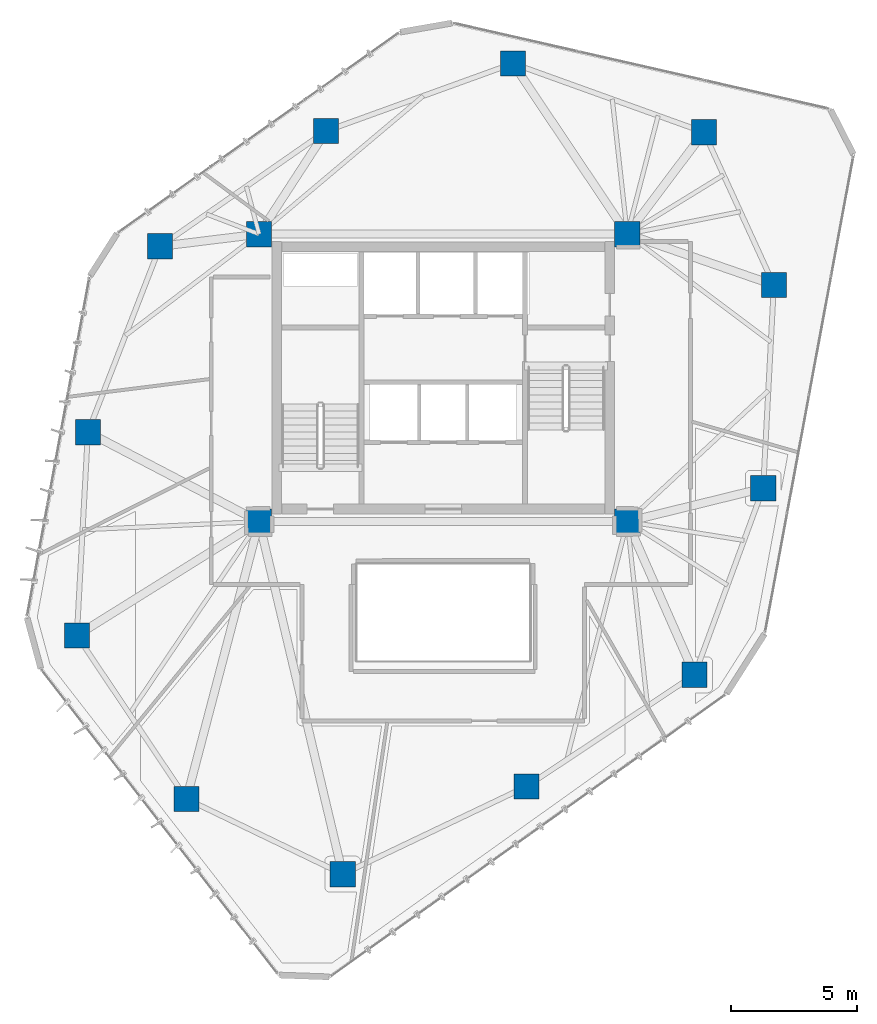
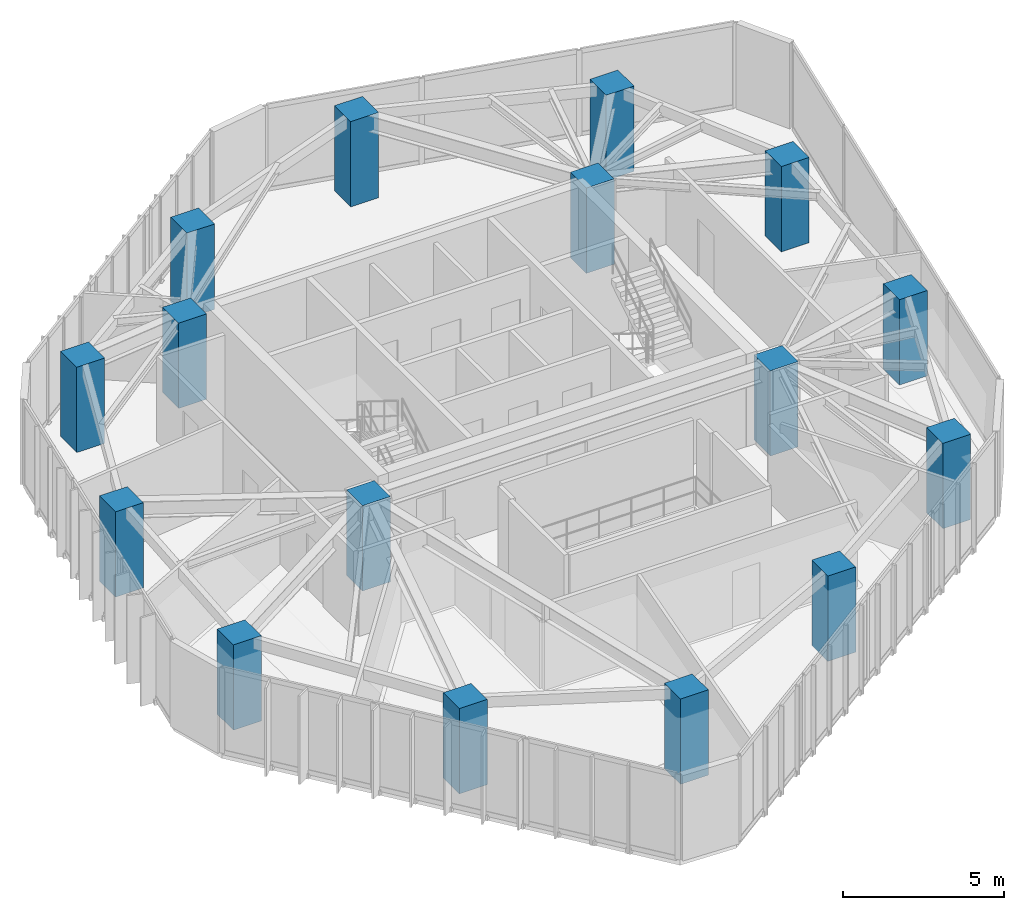
# One storey, part 1 of 19: 16 columns.
"""IFC4 building model written with IfcOpenShell, lengths in metres."""

import ifcopenshell
import ifcopenshell.guid

model = None  # the IFC model being written
_history = None  # IfcOwnerHistory: only IFC2X3 demands one
_inside = {}  # id of a spatial element -> (the spatial element, [elements in it])
_under = {}  # id of a project, library or spatial element -> (it, [spatial elements below it])
_declared = {}  # id of a project -> (the project, [libraries it declares])
_typed = {}  # id of a type object -> (the type object, [elements of that type])
_made_of = {}  # id of a material, layer set ... -> (it, [elements and type objects made of it])


def new_model(schema):
    """Start an empty IFC model of exactly this schema.

    Asked for "IFC4X3", IfcOpenShell would pick the latest addendum, in which some entities
    have other attributes; the version numbers below select the first issue.
    IFC2X3 requires an IfcOwnerHistory on every rooted entity: one is made here for all.
    """
    global model, _history
    if schema == "IFC4X3":
        model = ifcopenshell.file(schema_version=(4, 3, 0, 0))
    else:
        model = ifcopenshell.file(schema=schema)
    _inside.clear()
    _under.clear()
    _declared.clear()
    _typed.clear()
    _made_of.clear()
    _history = None
    if model.schema == "IFC2X3":
        org = make("IfcOrganization", Name="unknown")
        user = make(
            "IfcPersonAndOrganization",
            ThePerson=make("IfcPerson", FamilyName="unknown"),
            TheOrganization=org,
        )
        app = make(
            "IfcApplication",
            ApplicationDeveloper=org,
            Version="unknown",
            ApplicationFullName="unknown",
            ApplicationIdentifier="unknown",
        )
        _history = make(
            "IfcOwnerHistory",
            OwningUser=user,
            OwningApplication=app,
            ChangeAction="ADDED",
            CreationDate=0,
        )
    return model


def make(cls, **values):
    """One entity of the class cls with the attributes given. An attribute that is None is left unset."""
    return model.create_entity(
        cls, **{name: value for name, value in values.items() if value is not None}
    )


def rooted(cls, **values):
    """An entity with a GlobalId (a new one), such as an element, a storey or a relation."""
    return make(cls, GlobalId=ifcopenshell.guid.new(), OwnerHistory=_history, **values)


def si_unit(unit_type, name, prefix=None):
    """IfcSIUnit, for example si_unit("LENGTHUNIT", "METRE", prefix="MILLI")."""
    return make("IfcSIUnit", UnitType=unit_type, Prefix=prefix, Name=name)


def assignment(units):
    """IfcUnitAssignment: the units of a project."""
    return None if units is None else make("IfcUnitAssignment", Units=units)


def point(xyz):
    """IfcCartesianPoint."""
    return None if xyz is None else make("IfcCartesianPoint", Coordinates=xyz)


def direction(xyz):
    """IfcDirection."""
    return None if xyz is None else make("IfcDirection", DirectionRatios=xyz)


def frame(location, z_axis=None, x_axis=None):
    """IfcAxis2Placement3D, a coordinate frame: its origin and axes. An axis left out is left unset."""
    return make(
        "IfcAxis2Placement3D",
        Location=point(location),
        Axis=direction(z_axis),
        RefDirection=direction(x_axis),
    )


def frame_2d(location, x_axis=None):
    """IfcAxis2Placement2D, a coordinate frame in the plane: its origin and x axis."""
    return make(
        "IfcAxis2Placement2D", Location=point(location), RefDirection=direction(x_axis)
    )


def origin():
    """The frame at (0, 0, 0) with its axes left unset."""
    return frame((0.0, 0.0, 0.0))


def origin_2d():
    """The frame at (0, 0) in the plane with its x axis left unset."""
    return frame_2d((0.0, 0.0))


def place(relative_to, where):
    """IfcLocalPlacement: puts the frame where relative to a parent placement (None: the world)."""
    return make(
        "IfcLocalPlacement", PlacementRelTo=relative_to, RelativePlacement=where
    )


def context(
    kind, dimensions, precision=None, world=None, true_north=None, identifier=None
):
    """IfcGeometricRepresentationContext, for example the 3D "Model" context."""
    return make(
        "IfcGeometricRepresentationContext",
        ContextIdentifier=identifier,
        ContextType=kind,
        CoordinateSpaceDimension=dimensions,
        Precision=precision,
        WorldCoordinateSystem=world,
        TrueNorth=true_north,
    )


def subcontext(parent, identifier, kind, view, scale=None):
    """IfcGeometricRepresentationSubContext, for example "Body" below "Model"."""
    return make(
        "IfcGeometricRepresentationSubContext",
        ContextIdentifier=identifier,
        ContextType=kind,
        ParentContext=parent,
        TargetScale=scale,
        TargetView=view,
    )


def project(units=None, contexts=None):
    """IfcProject with its units and contexts."""
    return rooted(
        "IfcProject",
        Name="project",
        RepresentationContexts=contexts,
        UnitsInContext=assignment(units),
    )


def spatial(cls, under=None, at=None, **own):
    """A site, building, storey or space (cls), placed at a placement, below another one or the project."""
    s = rooted(cls, ObjectPlacement=at, **own)
    if under is not None:
        _under.setdefault(under.id(), (under, []))[1].append(s)
    return s


def profile(cls, at=None, kind="AREA", **sizes):
    """A parametric profile (cls). Its sizes go by their IFC names, for example OverallWidth=200.0."""
    return make(cls, ProfileType=kind, Position=at, **sizes)


def rectangle(**sizes):
    """IfcRectangleProfileDef."""
    return profile("IfcRectangleProfileDef", **sizes)


def extrude(swept, where, along, depth):
    """IfcExtrudedAreaSolid: the profile swept, set in the frame where, extruded along a direction by depth."""
    return make(
        "IfcExtrudedAreaSolid",
        SweptArea=swept,
        Position=where,
        ExtrudedDirection=direction(along),
        Depth=depth,
    )


def shape(context_of_items, identifier, shape_type, items):
    """IfcShapeRepresentation: the items that make up one representation, for example the "Body"."""
    return make(
        "IfcShapeRepresentation",
        ContextOfItems=context_of_items,
        RepresentationIdentifier=identifier,
        RepresentationType=shape_type,
        Items=items,
    )


def material(Name=None, Category=None):
    """IfcMaterial."""
    return make("IfcMaterial", Name=Name, Category=Category)


def material_profile(
    of_material, cross_section, Name=None, Category=None, Priority=None
):
    """IfcMaterialProfile: a cross section and its material."""
    return make(
        "IfcMaterialProfile",
        Name=Name,
        Material=of_material,
        Profile=cross_section,
        Priority=Priority,
        Category=Category,
    )


def profile_set(profiles, Name=None, composite=None):
    """IfcMaterialProfileSet."""
    return make(
        "IfcMaterialProfileSet",
        Name=Name,
        MaterialProfiles=profiles,
        CompositeProfile=composite,
    )


def made_of(thing, what):
    """Note that an element or type object is made of a material, layer set ...; save() writes the relation."""
    if what is not None:
        _made_of.setdefault(what.id(), (what, []))[1].append(thing)
    return thing


def type_object(cls, material=None, **own):
    """A type object (cls), such as IfcWallType, which elements share."""
    return made_of(rooted(cls, **own), material)


def element(
    cls,
    number,
    at=None,
    inside=None,
    cuts=None,
    type_object=None,
    material=None,
    context=None,
    identifier="Body",
    shape_type=None,
    held_by="IfcProductDefinitionShape",
    body=None,
    shapes=None,
    **own,
):
    """One element of the class cls, such as IfcWall. Its Tag is "e" and its number.

    at: its placement. inside: the storey or other place that contains it. cuts: it is an
    opening in that element (IfcRelVoidsElement). A single representation is given by context,
    identifier, shape_type and body (its items); several are given by shapes. held_by: the class
    of the entity that holds the representations. save() writes the other relations.
    """
    e = rooted(cls, Tag="e%d" % number, ObjectPlacement=at, **own)
    if body is not None:
        shapes = [shape(context, identifier, shape_type, body)]
    if shapes is not None:
        e.Representation = make(held_by, Representations=shapes)
    if inside is not None:
        _inside.setdefault(inside.id(), (inside, []))[1].append(e)
    if cuts is not None:
        rooted(
            "IfcRelVoidsElement", RelatingBuildingElement=cuts, RelatedOpeningElement=e
        )
    if type_object is not None:
        _typed.setdefault(type_object.id(), (type_object, []))[1].append(e)
    return made_of(e, material)


def aggregate(whole, parts):
    """IfcRelAggregates: a whole, such as a stair, and the parts it consists of."""
    return rooted("IfcRelAggregates", RelatingObject=whole, RelatedObjects=parts)


def save(model, path):
    """Write the relations noted so far, then the file.

    IfcRelAggregates (storeys below a building ...), IfcRelContainedInSpatialStructure (elements
    in a storey), IfcRelDefinesByType, IfcRelAssociatesMaterial and IfcRelDeclares: one each for
    every whole, place, type object, material and project.
    """
    for whole, parts in _under.values():
        aggregate(whole, parts)
    for where, things in _inside.values():
        rooted(
            "IfcRelContainedInSpatialStructure",
            RelatedElements=things,
            RelatingStructure=where,
        )
    for kind, things in _typed.values():
        rooted("IfcRelDefinesByType", RelatedObjects=things, RelatingType=kind)
    for what, things in _made_of.values():
        rooted("IfcRelAssociatesMaterial", RelatedObjects=things, RelatingMaterial=what)
    for by, libraries in _declared.values():
        rooted("IfcRelDeclares", RelatingContext=by, RelatedDefinitions=libraries)
    model.write(path)


model = new_model("IFC4")

# Units and contexts
model_context = context("Model", 3, precision=1e-05, world=origin(), true_north=direction((0.0, 1.0)))
body_context = subcontext(model_context, "Body", "Model", "MODEL_VIEW")
ifc_project = project(units=[si_unit("LENGTHUNIT", "METRE"), si_unit("AREAUNIT", "SQUARE_METRE"), si_unit("VOLUMEUNIT", "CUBIC_METRE"), si_unit("PLANEANGLEUNIT", "RADIAN"), si_unit("MASSUNIT", "GRAM", prefix="KILO")], contexts=[model_context])

# Site, building, storey
site_placement = place(None, origin())
site = spatial("IfcSite", under=ifc_project, at=site_placement, CompositionType="ELEMENT")
building_placement = place(site_placement, origin())
building = spatial("IfcBuilding", under=site, at=building_placement, Name="Talar Marvaseh", CompositionType="ELEMENT")
storey_placement = place(building_placement, frame((0.0, 0.0, 195.0)))
storey = spatial("IfcBuildingStorey", under=building, at=storey_placement, Name="L51", CompositionType="ELEMENT", Elevation=195.0)

# Columns
ifc_material = material(Name="Concrete C60/75", Category="concrete")
ifc_material_profile = material_profile(ifc_material, rectangle(XDim=1.0, YDim=1.0, at=origin_2d()), Name="RC1000x1000")
ifc_profile_set = profile_set([ifc_material_profile], Name="Concrete C60/75")
column_type = type_object("IfcColumnType", Name="Zone 3 Tube Column RC1000x1000", PredefinedType="COLUMN", material=ifc_profile_set)
for number, where, z_axis, x_axis, name in (
    (1, (28.76611328125, 43.66796875, 0.0), (0.0, 0.0, 1.0), (1.0, 0.0, 0.0), "L51 Zone 3 Tube Column RC1000x1000"),
    (2, (36.341064453125, 40.94189453125, 0.0), (0.0, 0.0, 1.0), (1.0, 0.0, 0.0), "L51 Zone 3 Tube Column RC1000x1000"),
    (3, (39.113037109375, 34.884033203125, 0.0), (0.0, 0.0, 1.0), (1.0, 0.0, 0.0), "L51 Zone 3 Tube Column RC1000x1000"),
    (4, (38.68896484375, 26.823974609375, 0.0), (0.0, 0.0, 1.0), (1.0, 0.0, 0.0), "L51 Zone 3 Tube Column RC1000x1000"),
    (5, (35.970947265625, 19.423095703125, 0.0), (0.0, 0.0, 1.0), (1.0, 0.0, 0.0), "L51 Zone 3 Tube Column RC1000x1000"),
    (6, (29.299072265625, 14.993896484375, 0.0), (0.0, 0.0, 1.0), (1.0, 0.0, 0.0), "L51 Zone 3 Tube Column RC1000x1000"),
    (7, (22.014892578125, 11.51904296875, 0.0), (0.0, 0.0, 1.0), (1.0, 0.0, 0.0), "L51 Zone 3 Tube Column RC1000x1000"),
    (8, (15.819091796875, 14.5009765625, 0.0), (0.0, 0.0, 1.0), (1.0, 0.0, 0.0), "L51 Zone 3 Tube Column RC1000x1000"),
    (9, (11.471923828125, 20.986083984375, 0.0), (0.0, 0.0, 1.0), (1.0, 0.0, 0.0), "L51 Zone 3 Tube Column RC1000x1000"),
    (10, (11.908935546875, 29.044921875, 0.0), (0.0, 0.0, 1.0), (1.0, 0.0, 0.0), "L51 Zone 3 Tube Column RC1000x1000"),
    (11, (14.77294921875, 36.416015625, 0.0), (0.0, 0.0, 1.0), (1.0, 0.0, 0.0), "L51 Zone 3 Tube Column RC1000x1000"),
    (12, (21.35205078125, 40.986083984375, 0.0), (0.0, 0.0, 1.0), (1.0, 0.0, 0.0), "L51 Zone 3 Tube Column RC1000x1000"),
    (13, (18.699951171875, 25.5, 0.0), (0.0, 0.0, 1.0), (1.0, 0.0, 0.0), "L51 Zone 3 Tube Column RC1000x1000"),
    (14, (33.300048828125, 25.5, 0.0), (0.0, 0.0, 1.0), (1.0, 0.0, 0.0), "L51 Zone 3 Tube Column RC1000x1000"),
    (15, (33.300048828125, 36.89990234375, 0.0), (0.0, 0.0, 1.0), (1.0, 0.0, 0.0), "L51 Zone 3 Tube Column RC1000x1000"),
    (16, (18.699951171875, 36.89990234375, 0.0), (0.0, 0.0, 1.0), (1.0, 0.0, 0.0), "L51 Zone 3 Tube Column RC1000x1000"),
):
    element("IfcColumn", number, at=place(storey_placement, frame(where, z_axis=z_axis, x_axis=x_axis)), inside=storey, type_object=column_type, Name=name, PredefinedType="COLUMN", context=body_context, shape_type="SweptSolid", body=[
        extrude(rectangle(XDim=1.0, YDim=1.0, at=origin_2d()), origin(), (0.0, 0.0, 1.0), 3.22998046875),
    ])

save(model, "model.ifc")
